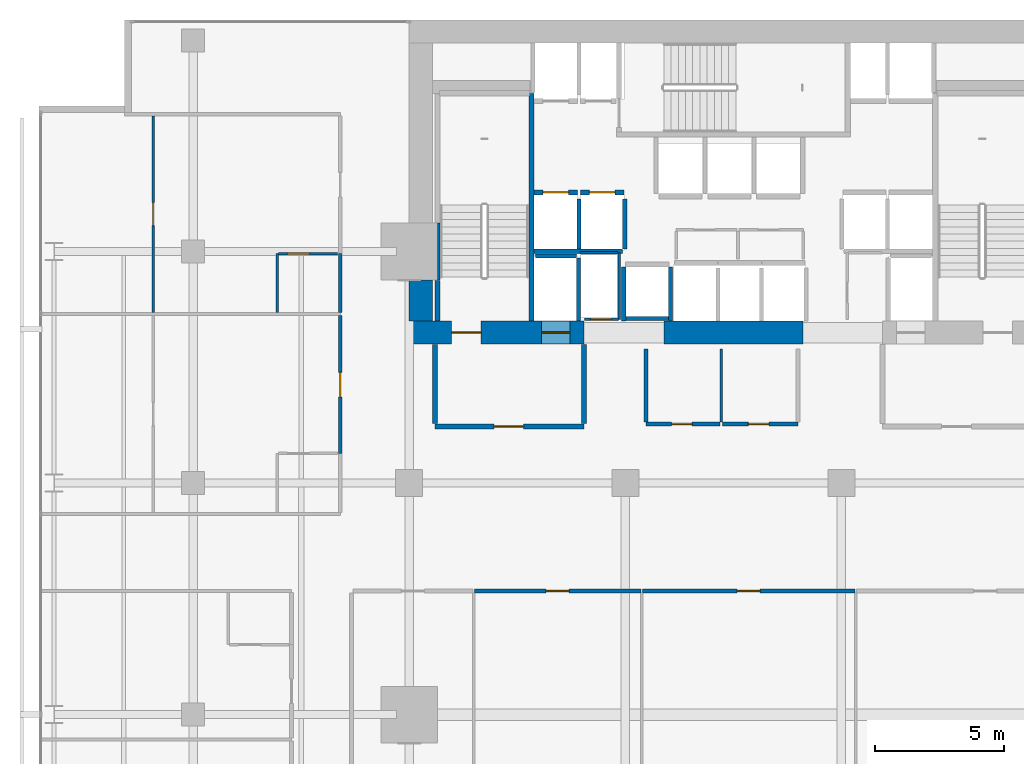
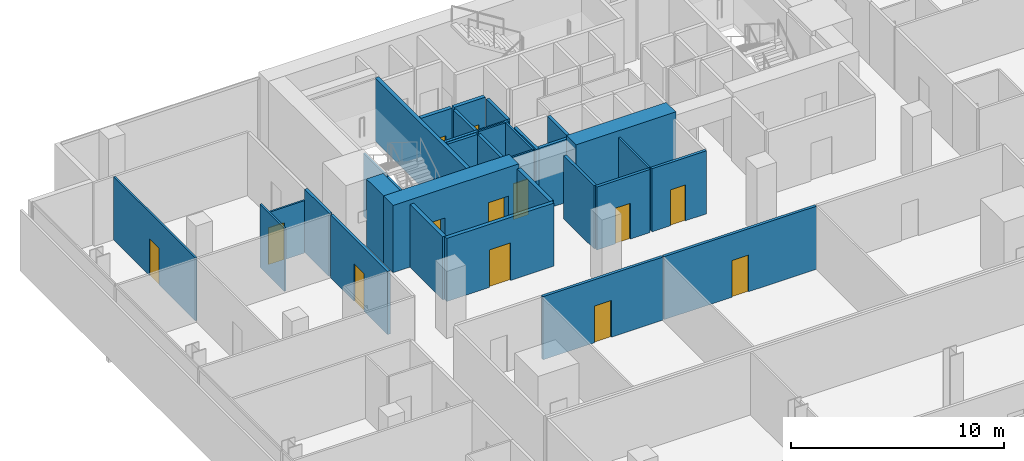
# One storey, part 35 of 40: 33 walls, 13 doors, 13 openings.
"""IFC4 building model written with IfcOpenShell, lengths in metres."""

from ifc_helpers import new_model, si_unit, direction, frame, frame_2d, origin, place, context, subcontext, project, spatial, rectangle, extrude, material, layer, layer_set, type_object, element, fill, save


model = new_model("IFC4")

# Units and contexts
model_context = context("Model", 3, precision=1e-05, world=origin(), true_north=direction((0.0, 1.0)))
body_context = subcontext(model_context, "Body", "Model", "MODEL_VIEW")
ifc_project = project(units=[si_unit("LENGTHUNIT", "METRE"), si_unit("AREAUNIT", "SQUARE_METRE"), si_unit("VOLUMEUNIT", "CUBIC_METRE"), si_unit("PLANEANGLEUNIT", "RADIAN"), si_unit("MASSUNIT", "GRAM", prefix="KILO")], contexts=[model_context])

# Site, building, storey
site_placement = place(None, origin())
site = spatial("IfcSite", under=ifc_project, at=site_placement, CompositionType="ELEMENT")
building_placement = place(site_placement, origin())
building = spatial("IfcBuilding", under=site, at=building_placement, Name="Maruvema Waterfront Hotel and Observation Tower", CompositionType="ELEMENT")
storey_placement = place(building_placement, frame((0.0, 0.0, 96.25)))
storey = spatial("IfcBuildingStorey", under=building, at=storey_placement, Name="L23", CompositionType="ELEMENT", Elevation=96.25)

# Wall, opening, door
ifc_material_1 = material(Name="Twin-stud acoustic gypsum drywall", Category="gypsum")
ifc_layer_1 = layer(ifc_material_1, 0.14990234375, Name="Acoustic Corridor and Suite Demising Wall 150 mm")
ifc_layer_set_1 = layer_set([ifc_layer_1], Name="Twin-stud acoustic gypsum drywall")
wall_type_1 = type_object("IfcWallType", Name="Acoustic Corridor and Suite Demising Wall 150 mm", PredefinedType="PARTITIONING", material=ifc_layer_set_1)
wall_1_placement = place(storey_placement, frame((34.39990234375, 38.300048828125, 0.0), z_axis=(0.0, 0.0, 1.0), x_axis=(1.0, 0.0, 0.0)))
wall_1 = element("IfcWall", 1, at=wall_1_placement, inside=storey, type_object=wall_type_1, Name="L23 Core Apron K2A South 017", PredefinedType="PARTITIONING", context=body_context, shape_type="SweptSolid", body=[
    extrude(rectangle(XDim=2.880126953125, YDim=0.14990234375, at=frame_2d((1.43994140625, 0.0))), origin(), (0.0, 0.0, 1.0), 3.610107421875),
])
opening_1_placement = place(wall_1_placement, frame((1.0, 0.0, 0.0)))
opening_1 = element("IfcOpeningElement", 2, at=opening_1_placement, cuts=wall_1, Name="Opening DR-080", PredefinedType="OPENING", context=body_context, shape_type="SweptSolid", body=[
    extrude(rectangle(XDim=0.800048828125, YDim=2.050048828125, at=frame_2d((0.39990234375, 1.02490234375))), frame((0.0, 0.0849609375, 0.0), z_axis=(0.0, -1.0, 0.0), x_axis=(1.0, 0.0, 0.0)), (0.0, 0.0, 1.0), 0.169921875),
])
ifc_material_2 = material(Name="Powder-coated steel access leaf", Category="steel")
door_type_1 = type_object("IfcDoorType", Name="Riser and Service Cupboard Door 800x2050 mm", OperationType="NOTDEFINED", PredefinedType="DOOR", material=ifc_material_2)
door_1_placement = place(opening_1_placement, frame((0.800048828125, 0.0, 0.0), z_axis=(0.0, 0.0, 1.0), x_axis=(-1.0, 0.0, 0.0)))
door_1 = element("IfcDoor", 3, at=door_1_placement, inside=storey, type_object=door_type_1, Name="L23 Core Ice Alcove Door", OperationType="SINGLE_SWING_LEFT", OverallHeight=2.050048828125, OverallWidth=0.800048828125, PredefinedType="DOOR", context=body_context, shape_type="SweptSolid", body=[
    extrude(rectangle(XDim=0.800048828125, YDim=2.050048828125, at=frame_2d((0.39990234375, 1.02490234375))), frame((0.0, 0.02490234375, 0.0), z_axis=(0.0, -1.0, 0.0), x_axis=(1.0, 0.0, 0.0)), (0.0, 0.0, 1.0), 0.050048828125),
])
fill(opening_1, door_1)

wall_2_placement = place(storey_placement, frame((37.3798828125, 38.300048828125, 0.0), z_axis=(0.0, 0.0, 1.0), x_axis=(1.0, 0.0, 0.0)))
wall_2 = element("IfcWall", 4, at=wall_2_placement, inside=storey, type_object=wall_type_1, Name="L23 Core Apron K2B South 018", PredefinedType="PARTITIONING", context=body_context, shape_type="SweptSolid", body=[
    extrude(rectangle(XDim=2.940185546875, YDim=0.14990234375, at=frame_2d((1.47021484375, 0.0))), origin(), (0.0, 0.0, 1.0), 3.610107421875),
])
opening_2_placement = place(wall_2_placement, frame((1.0, 0.0, 0.0)))
opening_2 = element("IfcOpeningElement", 5, at=opening_2_placement, cuts=wall_2, Name="Opening DR-080", PredefinedType="OPENING", context=body_context, shape_type="SweptSolid", body=[
    extrude(rectangle(XDim=0.800048828125, YDim=2.050048828125, at=frame_2d((0.39990234375, 1.02490234375))), frame((0.0, 0.0849609375, 0.0), z_axis=(0.0, -1.0, 0.0), x_axis=(1.0, 0.0, 0.0)), (0.0, 0.0, 1.0), 0.169921875),
])
door_2_placement = place(opening_2_placement, frame((0.800048828125, 0.0, 0.0), z_axis=(0.0, 0.0, 1.0), x_axis=(-1.0, 0.0, 0.0)))
door_2 = element("IfcDoor", 6, at=door_2_placement, inside=storey, type_object=door_type_1, Name="L23 Core Valet Closet Door", OperationType="SINGLE_SWING_RIGHT", OverallHeight=2.050048828125, OverallWidth=0.800048828125, PredefinedType="DOOR", context=body_context, shape_type="SweptSolid", body=[
    extrude(rectangle(XDim=0.800048828125, YDim=2.050048828125, at=frame_2d((0.39990234375, 1.02490234375))), frame((0.0, 0.02490234375, 0.0), z_axis=(0.0, -1.0, 0.0), x_axis=(1.0, 0.0, 0.0)), (0.0, 0.0, 1.0), 0.050048828125),
])
fill(opening_2, door_2)

# Wall
wall_3_placement = place(storey_placement, frame((34.39990234375, 38.3798828125, 0.0), z_axis=(0.0, 0.0, 1.0), x_axis=(0.0, 1.0, 0.0)))
element("IfcWall", 7, at=wall_3_placement, inside=storey, type_object=wall_type_1, Name="L23 Core Apron K2 West 019", PredefinedType="PARTITIONING", context=body_context, shape_type="SweptSolid", body=[
    extrude(rectangle(XDim=2.840087890625, YDim=0.14990234375, at=frame_2d((1.419921875, 0.0))), origin(), (0.0, 0.0, 1.0), 3.610107421875),
])

# Wall, opening, door
wall_4_placement = place(storey_placement, frame((27.73193359375, 31.800048828125, 0.0), z_axis=(0.0, 0.0, 1.0), x_axis=(1.0, 0.0, 0.0)))
wall_4 = element("IfcWall", 8, at=wall_4_placement, inside=storey, type_object=wall_type_1, Name="L23 L23-INTN Front 2 027", PredefinedType="PARTITIONING", context=body_context, shape_type="SweptSolid", body=[
    extrude(rectangle(XDim=6.47412109375, YDim=0.14990234375, at=frame_2d((3.237060546875, 0.0))), origin(), (0.0, 0.0, 1.0), 3.610107421875),
])
opening_3_placement = place(wall_4_placement, frame((2.787109375, 0.0, 0.0)))
opening_3 = element("IfcOpeningElement", 9, at=opening_3_placement, cuts=wall_4, Name="Opening DR-090", PredefinedType="OPENING", context=body_context, shape_type="SweptSolid", body=[
    extrude(rectangle(XDim=0.89990234375, YDim=2.10009765625, at=frame_2d((0.449951171875, 1.050048828125))), frame((0.0, 0.0849609375, 0.0), z_axis=(0.0, -1.0, 0.0), x_axis=(1.0, 0.0, 0.0)), (0.0, 0.0, 1.0), 0.169921875),
])
ifc_material_3 = material(Name="Solid-core lacquered timber leaf", Category="wood")
door_type_2 = type_object("IfcDoorType", Name="Accessible Toilet and Room Door 900x2100 mm", OperationType="NOTDEFINED", PredefinedType="DOOR", material=ifc_material_3)
door_3_placement = place(opening_3_placement, origin())
door_3 = element("IfcDoor", 10, at=door_3_placement, inside=storey, type_object=door_type_2, Name="L23 Art Gallery Lounge 2 Door", OperationType="SINGLE_SWING_RIGHT", OverallHeight=2.10009765625, OverallWidth=0.89990234375, PredefinedType="DOOR", context=body_context, shape_type="SweptSolid", body=[
    extrude(rectangle(XDim=0.89990234375, YDim=2.10009765625, at=frame_2d((0.449951171875, 1.050048828125))), frame((0.0, 0.02490234375, 0.0), z_axis=(0.0, -1.0, 0.0), x_axis=(1.0, 0.0, 0.0)), (0.0, 0.0, 1.0), 0.050048828125),
])
fill(opening_3, door_3)

wall_5_placement = place(storey_placement, frame((34.26611328125, 31.800048828125, 0.0), z_axis=(0.0, 0.0, 1.0), x_axis=(1.0, 0.0, 0.0)))
wall_5 = element("IfcWall", 11, at=wall_5_placement, inside=storey, type_object=wall_type_1, Name="L23 L23-INTN Front 3 029", PredefinedType="PARTITIONING", context=body_context, shape_type="SweptSolid", body=[
    extrude(rectangle(XDim=8.255859375, YDim=0.14990234375, at=frame_2d((4.1279296875, 0.0))), origin(), (0.0, 0.0, 1.0), 3.610107421875),
])
opening_4_placement = place(wall_5_placement, frame((3.677978515625, 0.0, 0.0)))
opening_4 = element("IfcOpeningElement", 12, at=opening_4_placement, cuts=wall_5, Name="Opening DR-090", PredefinedType="OPENING", context=body_context, shape_type="SweptSolid", body=[
    extrude(rectangle(XDim=0.89990234375, YDim=2.10009765625, at=frame_2d((0.449951171875, 1.050048828125))), frame((0.0, 0.0849609375, 0.0), z_axis=(0.0, -1.0, 0.0), x_axis=(1.0, 0.0, 0.0)), (0.0, 0.0, 1.0), 0.169921875),
])
door_4_placement = place(opening_4_placement, origin())
door_4 = element("IfcDoor", 13, at=door_4_placement, inside=storey, type_object=door_type_2, Name="L23 Art Gallery Lounge 3 Door", OperationType="SINGLE_SWING_LEFT", OverallHeight=2.10009765625, OverallWidth=0.89990234375, PredefinedType="DOOR", context=body_context, shape_type="SweptSolid", body=[
    extrude(rectangle(XDim=0.89990234375, YDim=2.10009765625, at=frame_2d((0.449951171875, 1.050048828125))), frame((0.0, 0.02490234375, 0.0), z_axis=(0.0, -1.0, 0.0), x_axis=(1.0, 0.0, 0.0)), (0.0, 0.0, 1.0), 0.050048828125),
])
fill(opening_4, door_4)

wall_6_placement = place(storey_placement, frame((22.52001953125, 37.14990234375, 0.0), z_axis=(0.0, 0.0, 1.0), x_axis=(0.0, 1.0, 0.0)))
wall_6 = element("IfcWall", 14, at=wall_6_placement, inside=storey, type_object=wall_type_1, Name="L23 Room L23-NW1 Corridor Wall 104", PredefinedType="PARTITIONING", context=body_context, shape_type="SweptSolid", body=[
    extrude(rectangle(XDim=5.35888671875, YDim=0.14990234375, at=frame_2d((2.679443359375, 0.0))), origin(), (0.0, 0.0, 1.0), 3.610107421875),
])
opening_5_placement = place(wall_6_placement, frame((2.204345703125, 0.0, 0.0)))
opening_5 = element("IfcOpeningElement", 15, at=opening_5_placement, cuts=wall_6, Name="Opening DR-095", PredefinedType="OPENING", context=body_context, shape_type="SweptSolid", body=[
    extrude(rectangle(XDim=0.949951171875, YDim=2.14990234375, at=frame_2d((0.47509765625, 1.074951171875))), frame((0.0, 0.0849609375, 0.0), z_axis=(0.0, -1.0, 0.0), x_axis=(1.0, 0.0, 0.0)), (0.0, 0.0, 1.0), 0.169921875),
])
ifc_material_4 = material(Name="Acoustic solid-core hardwood timber leaf", Category="wood")
door_type_3 = type_object("IfcDoorType", Name="Guestroom Entrance Fire Door 950x2150 mm", OperationType="NOTDEFINED", PredefinedType="DOOR", material=ifc_material_4)
door_5_placement = place(opening_5_placement, origin())
door_5 = element("IfcDoor", 16, at=door_5_placement, inside=storey, type_object=door_type_3, Name="L23 Room L23-NW1 Entrance Door", OperationType="SINGLE_SWING_RIGHT", OverallHeight=2.14990234375, OverallWidth=0.949951171875, PredefinedType="DOOR", context=body_context, shape_type="SweptSolid", body=[
    extrude(rectangle(XDim=0.949951171875, YDim=2.14990234375, at=frame_2d((0.47509765625, 1.074951171875))), frame((0.0, 0.02490234375, 0.0), z_axis=(0.0, -1.0, 0.0), x_axis=(1.0, 0.0, 0.0)), (0.0, 0.0, 1.0), 0.050048828125),
])
fill(opening_5, door_5)

# Walls
wall_7_placement = place(storey_placement, frame((22.52001953125, 42.628662109375, 0.0), z_axis=(0.0, 0.0, 1.0), x_axis=(0.0, 1.0, 0.0)))
element("IfcWall", 17, at=wall_7_placement, inside=storey, type_object=wall_type_1, Name="L23 Bath L23-NW2 Wall 115", PredefinedType="PARTITIONING", context=body_context, shape_type="SweptSolid", body=[
    extrude(rectangle(XDim=2.2900390625, YDim=0.14990234375, at=frame_2d((1.14501953125, 0.0))), origin(), (0.0, 0.0, 1.0), 3.610107421875),
])
ifc_material_5 = material(Name="Precast concrete C45/55", Category="concrete")
ifc_layer_2 = layer(ifc_material_5, 0.199951171875, Name="Core Shaft and Stairwell Enclosure Wall 200 mm")
ifc_layer_set_2 = layer_set([ifc_layer_2], Name="Precast concrete C45/55")
wall_type_2 = type_object("IfcWallType", Name="Core Shaft and Stairwell Enclosure Wall 200 mm", PredefinedType="SOLIDWALL", material=ifc_layer_set_2)
wall_8_placement = place(storey_placement, frame((29.949951171875, 42.300048828125, 0.0), z_axis=(0.0, 0.0, 1.0), x_axis=(0.0, 1.0, 0.0)))
element("IfcWall", 18, at=wall_8_placement, inside=storey, type_object=wall_type_2, Name="L23 Stairwell ST-01 East Shaft Wall", PredefinedType="SOLIDWALL", context=body_context, shape_type="SweptSolid", body=[
    extrude(rectangle(XDim=8.849853515625, YDim=0.199951171875, at=frame_2d((4.4248046875, 0.0))), origin(), (0.0, 0.0, 1.0), 3.610107421875),
])
wall_9_placement = place(storey_placement, frame((26.300048828125, 42.300048828125, 0.0), z_axis=(0.0, 0.0, 1.0), x_axis=(0.0, 1.0, 0.0)))
element("IfcWall", 19, at=wall_9_placement, inside=storey, type_object=wall_type_2, Name="L23 Stairwell ST-01 Shaft Lining Wall", PredefinedType="SOLIDWALL", context=body_context, shape_type="SweptSolid", body=[
    extrude(rectangle(XDim=1.579833984375, YDim=0.199951171875, at=frame_2d((0.7900390625, 0.0))), origin(), (0.0, 0.0, 1.0), 3.610107421875),
])

# Wall, opening, door
wall_10_placement = place(storey_placement, frame((30.06005859375, 47.300048828125, 0.0), z_axis=(0.0, 0.0, 1.0), x_axis=(1.0, 0.0, 0.0)))
wall_10 = element("IfcWall", 20, at=wall_10_placement, inside=storey, type_object=wall_type_2, Name="L23 Lift LF-01 Hoistway Front Wall", PredefinedType="SOLIDWALL", context=body_context, shape_type="SweptSolid", body=[
    extrude(rectangle(XDim=1.679931640625, YDim=0.199951171875, at=frame_2d((0.83984375, 0.0))), origin(), (0.0, 0.0, 1.0), 3.610107421875),
])
opening_6_placement = place(wall_10_placement, frame((0.340087890625, 0.0, 0.0)))
opening_6 = element("IfcOpeningElement", 21, at=opening_6_placement, cuts=wall_10, Name="Opening LD-01", PredefinedType="OPENING", context=body_context, shape_type="SweptSolid", body=[
    extrude(rectangle(XDim=1.0, YDim=2.14990234375, at=frame_2d((0.5, 1.074951171875))), frame((0.0, 0.10986328125, 0.0), z_axis=(0.0, -1.0, 0.0), x_axis=(1.0, 0.0, 0.0)), (0.0, 0.0, 1.0), 0.219970703125),
])
ifc_material_6 = material(Name="Brushed stainless steel Grade 316", Category="steel")
door_type_4 = type_object("IfcDoorType", Name="Passenger Lift Sliding Landing Door 1000x2150 mm", OperationType="SLIDING_TO_LEFT", PredefinedType="DOOR", material=ifc_material_6)
door_6_placement = place(opening_6_placement, origin())
door_6 = element("IfcDoor", 22, at=door_6_placement, inside=storey, type_object=door_type_4, Name="L23 Lift LF-01 Sliding Landing Door", OperationType="SLIDING_TO_LEFT", OverallHeight=2.14990234375, OverallWidth=1.0, PredefinedType="DOOR", context=body_context, shape_type="SweptSolid", body=[
    extrude(rectangle(XDim=1.0, YDim=2.14990234375, at=frame_2d((0.5, 1.074951171875))), frame((0.0, 0.02490234375, 0.0), z_axis=(0.0, -1.0, 0.0), x_axis=(1.0, 0.0, 0.0)), (0.0, 0.0, 1.0), 0.050048828125),
])
fill(opening_6, door_6)

wall_11_placement = place(storey_placement, frame((31.860107421875, 47.300048828125, 0.0), z_axis=(0.0, 0.0, 1.0), x_axis=(1.0, 0.0, 0.0)))
wall_11 = element("IfcWall", 23, at=wall_11_placement, inside=storey, type_object=wall_type_2, Name="L23 Lift LF-02 Hoistway Front Wall", PredefinedType="SOLIDWALL", context=body_context, shape_type="SweptSolid", body=[
    extrude(rectangle(XDim=1.679931640625, YDim=0.199951171875, at=frame_2d((0.83984375, 0.0))), origin(), (0.0, 0.0, 1.0), 3.610107421875),
])
opening_7_placement = place(wall_11_placement, frame((0.340087890625, 0.0, 0.0)))
opening_7 = element("IfcOpeningElement", 24, at=opening_7_placement, cuts=wall_11, Name="Opening LD-01", PredefinedType="OPENING", context=body_context, shape_type="SweptSolid", body=[
    extrude(rectangle(XDim=1.0, YDim=2.14990234375, at=frame_2d((0.5, 1.074951171875))), frame((0.0, 0.10986328125, 0.0), z_axis=(0.0, -1.0, 0.0), x_axis=(1.0, 0.0, 0.0)), (0.0, 0.0, 1.0), 0.219970703125),
])
door_7_placement = place(opening_7_placement, origin())
door_7 = element("IfcDoor", 25, at=door_7_placement, inside=storey, type_object=door_type_4, Name="L23 Lift LF-02 Sliding Landing Door", OperationType="SLIDING_TO_LEFT", OverallHeight=2.14990234375, OverallWidth=1.0, PredefinedType="DOOR", context=body_context, shape_type="SweptSolid", body=[
    extrude(rectangle(XDim=1.0, YDim=2.14990234375, at=frame_2d((0.5, 1.074951171875))), frame((0.0, 0.02490234375, 0.0), z_axis=(0.0, -1.0, 0.0), x_axis=(1.0, 0.0, 0.0)), (0.0, 0.0, 1.0), 0.050048828125),
])
fill(opening_7, door_7)

# Wall, openings, doors
ifc_material_7 = material(Name="Concrete C80/95", Category="concrete")
ifc_layer_3 = layer(ifc_material_7, 0.89990234375, Name="Core Shear Wall 900 mm")
ifc_layer_set_3 = layer_set([ifc_layer_3], Name="Concrete C80/95")
wall_type_3 = type_object("IfcWallType", Name="Core Shear Wall 900 mm", PredefinedType="SHEAR", material=ifc_layer_set_3)
wall_12_placement = place(storey_placement, frame((25.199951171875, 41.85009765625, 0.0), z_axis=(0.0, 0.0, 1.0), x_axis=(1.0, 0.0, 0.0)))
wall_12 = element("IfcWall", 26, at=wall_12_placement, inside=storey, type_object=wall_type_3, Name="L23 South-West Core Shear Wall", PredefinedType="SHEAR", context=body_context, shape_type="SweptSolid", body=[
    extrude(rectangle(XDim=6.800048828125, YDim=0.89990234375, at=frame_2d((3.39990234375, 0.0))), origin(), (0.0, 0.0, 1.0), 3.85009765625),
])
opening_8_placement = place(wall_12_placement, frame((1.64990234375, 0.0, 0.0)))
opening_8 = element("IfcOpeningElement", 27, at=opening_8_placement, cuts=wall_12, Name="Opening SD-01", PredefinedType="OPENING", context=body_context, shape_type="SweptSolid", body=[
    extrude(rectangle(XDim=1.14990234375, YDim=2.14990234375, at=frame_2d((0.574951171875, 1.074951171875))), frame((0.0, 0.4599609375, 0.0), z_axis=(0.0, -1.0, 0.0), x_axis=(1.0, 0.0, 0.0)), (0.0, 0.0, 1.0), 0.919921875),
])
opening_9_placement = place(wall_12_placement, frame((5.14990234375, 0.0, 0.0)))
opening_9 = element("IfcOpeningElement", 28, at=opening_9_placement, cuts=wall_12, Name="Opening LD-03", PredefinedType="OPENING", context=body_context, shape_type="SweptSolid", body=[
    extrude(rectangle(XDim=1.10009765625, YDim=2.199951171875, at=frame_2d((0.550048828125, 1.10009765625))), frame((0.0, 0.4599609375, 0.0), z_axis=(0.0, -1.0, 0.0), x_axis=(1.0, 0.0, 0.0)), (0.0, 0.0, 1.0), 0.919921875),
])
ifc_material_8 = material(Name="Fire-rated galvanised steel leaf", Category="steel")
door_type_5 = type_object("IfcDoorType", Name="Exit Stair Fire Door 1150x2150 mm", OperationType="NOTDEFINED", PredefinedType="DOOR", material=ifc_material_8)
door_8_placement = place(opening_8_placement, origin())
door_8 = element("IfcDoor", 29, at=door_8_placement, inside=storey, type_object=door_type_5, Name="L23 Exit Stair ST-01 Fire Door", OperationType="SINGLE_SWING_LEFT", OverallHeight=2.14990234375, OverallWidth=1.14990234375, PredefinedType="DOOR", context=body_context, shape_type="SweptSolid", body=[
    extrude(rectangle(XDim=1.14990234375, YDim=2.14990234375, at=frame_2d((0.574951171875, 1.074951171875))), frame((0.0, 0.02490234375, 0.0), z_axis=(0.0, -1.0, 0.0), x_axis=(1.0, 0.0, 0.0)), (0.0, 0.0, 1.0), 0.050048828125),
])
fill(opening_8, door_8)
ifc_material_9 = material(Name="Brushed stainless steel Grade 316", Category="steel")
door_type_6 = type_object("IfcDoorType", Name="Firefighting Lift Sliding Landing Door 1100x2200 mm", OperationType="SLIDING_TO_LEFT", PredefinedType="DOOR", material=ifc_material_9)
door_9_placement = place(opening_9_placement, frame((1.10009765625, 0.0, 0.0), z_axis=(0.0, 0.0, 1.0), x_axis=(-1.0, 0.0, 0.0)))
door_9 = element("IfcDoor", 30, at=door_9_placement, inside=storey, type_object=door_type_6, Name="L23 Firefighting Lift FL-01 Landing Door", OperationType="SLIDING_TO_LEFT", OverallHeight=2.199951171875, OverallWidth=1.10009765625, PredefinedType="DOOR", context=body_context, shape_type="SweptSolid", body=[
    extrude(rectangle(XDim=1.10009765625, YDim=2.199951171875, at=frame_2d((0.550048828125, 1.10009765625))), frame((0.0, 0.02490234375, 0.0), z_axis=(0.0, -1.0, 0.0), x_axis=(1.0, 0.0, 0.0)), (0.0, 0.0, 1.0), 0.050048828125),
])
fill(opening_9, door_9)

# Walls
wall_13_placement = place(storey_placement, frame((35.10009765625, 41.85009765625, 0.0), z_axis=(0.0, 0.0, 1.0), x_axis=(1.0, 0.0, 0.0)))
element("IfcWall", 31, at=wall_13_placement, inside=storey, type_object=wall_type_3, Name="L23 South-Central Core Shear Wall", PredefinedType="SHEAR", context=body_context, shape_type="SweptSolid", body=[
    extrude(rectangle(XDim=5.39990234375, YDim=0.89990234375, at=frame_2d((2.699951171875, 0.0))), origin(), (0.0, 0.0, 1.0), 3.85009765625),
])
wall_14_placement = place(storey_placement, frame((25.64990234375, 42.300048828125, 0.0), z_axis=(0.0, 0.0, 1.0), x_axis=(0.0, 1.0, 0.0)))
element("IfcWall", 32, at=wall_14_placement, inside=storey, type_object=wall_type_3, Name="L23 West-South Core Shear Wall", PredefinedType="SHEAR", context=body_context, shape_type="SweptSolid", body=[
    extrude(rectangle(XDim=1.599853515625, YDim=0.89990234375, at=frame_2d((0.7998046875, 0.0))), origin(), (0.0, 0.0, 1.0), 3.85009765625),
])

# Wall, opening, door
ifc_material_10 = material(Name="Moisture-resistant cement-board drywall", Category="gypsum")
ifc_layer_4 = layer(ifc_material_10, 0.10009765625, Name="En-Suite Moisture-Resistant Partition 100 mm")
ifc_layer_set_4 = layer_set([ifc_layer_4], Name="Moisture-resistant cement-board drywall")
wall_type_4 = type_object("IfcWallType", Name="En-Suite Moisture-Resistant Partition 100 mm", PredefinedType="PARTITIONING", material=ifc_layer_set_4)
wall_15_placement = place(storey_placement, frame((32.02001953125, 42.360107421875, 0.0), z_axis=(0.0, 0.0, 1.0), x_axis=(1.0, 0.0, 0.0)))
wall_15 = element("IfcWall", 33, at=wall_15_placement, inside=storey, type_object=wall_type_4, Name="L23 Telecom Riser South Wall 007", PredefinedType="PARTITIONING", context=body_context, shape_type="SweptSolid", body=[
    extrude(rectangle(XDim=1.320068359375, YDim=0.10009765625, at=frame_2d((0.66015625, 0.0))), origin(), (0.0, 0.0, 1.0), 3.610107421875),
])
opening_10_placement = place(wall_15_placement, frame((0.239990234375, 0.0, 0.0)))
opening_10 = element("IfcOpeningElement", 34, at=opening_10_placement, cuts=wall_15, Name="Opening DR-080", PredefinedType="OPENING", context=body_context, shape_type="SweptSolid", body=[
    extrude(rectangle(XDim=0.800048828125, YDim=2.050048828125, at=frame_2d((0.39990234375, 1.02490234375))), frame((0.0, 0.06005859375, 0.0), z_axis=(0.0, -1.0, 0.0), x_axis=(1.0, 0.0, 0.0)), (0.0, 0.0, 1.0), 0.1201171875),
])
door_10_placement = place(opening_10_placement, frame((0.800048828125, 0.0, 0.0), z_axis=(0.0, 0.0, 1.0), x_axis=(-1.0, 0.0, 0.0)))
door_10 = element("IfcDoor", 35, at=door_10_placement, inside=storey, type_object=door_type_1, Name="L23 Telecom Riser Door", OperationType="SINGLE_SWING_LEFT", OverallHeight=2.050048828125, OverallWidth=0.800048828125, PredefinedType="DOOR", context=body_context, shape_type="SweptSolid", body=[
    extrude(rectangle(XDim=0.800048828125, YDim=2.050048828125, at=frame_2d((0.39990234375, 1.02490234375))), frame((0.0, 0.02490234375, 0.0), z_axis=(0.0, -1.0, 0.0), x_axis=(1.0, 0.0, 0.0)), (0.0, 0.0, 1.0), 0.050048828125),
])
fill(opening_10, door_10)

# Walls
wall_16_placement = place(storey_placement, frame((31.840087890625, 44.9599609375, 0.0), z_axis=(0.0, 0.0, 1.0), x_axis=(1.0, 0.0, 0.0)))
element("IfcWall", 36, at=wall_16_placement, inside=storey, type_object=wall_type_4, Name="L23 Telecom Riser North Wall 008", PredefinedType="PARTITIONING", context=body_context, shape_type="SweptSolid", body=[
    extrude(rectangle(XDim=1.47998046875, YDim=0.10009765625, at=frame_2d((0.739990234375, 0.0))), origin(), (0.0, 0.0, 1.0), 3.610107421875),
])
wall_17_placement = place(storey_placement, frame((33.360107421875, 42.360107421875, 0.0), z_axis=(0.0, 0.0, 1.0), x_axis=(0.0, 1.0, 0.0)))
element("IfcWall", 37, at=wall_17_placement, inside=storey, type_object=wall_type_4, Name="L23 Telecom Riser East Wall 009", PredefinedType="PARTITIONING", context=body_context, shape_type="SweptSolid", body=[
    extrude(rectangle(XDim=2.579833984375, YDim=0.10009765625, at=frame_2d((1.2900390625, 0.0))), origin(), (0.0, 0.0, 1.0), 3.610107421875),
])
wall_18_placement = place(storey_placement, frame((37.330078125, 38.3798828125, 0.0), z_axis=(0.0, 0.0, 1.0), x_axis=(0.0, 1.0, 0.0)))
element("IfcWall", 38, at=wall_18_placement, inside=storey, type_object=wall_type_4, Name="L23 Core Apron K2 Split 020", PredefinedType="PARTITIONING", context=body_context, shape_type="SweptSolid", body=[
    extrude(rectangle(XDim=2.840087890625, YDim=0.10009765625, at=frame_2d((1.419921875, 0.0))), origin(), (0.0, 0.0, 1.0), 3.610107421875),
])
wall_19_placement = place(storey_placement, frame((20.070068359375, 42.628662109375, 0.0), z_axis=(0.0, 0.0, 1.0), x_axis=(0.0, 1.0, 0.0)))
element("IfcWall", 39, at=wall_19_placement, inside=storey, type_object=wall_type_4, Name="L23 En-Suite L23-NW2 W 117", PredefinedType="PARTITIONING", context=body_context, shape_type="SweptSolid", body=[
    extrude(rectangle(XDim=2.2900390625, YDim=0.10009765625, at=frame_2d((1.14501953125, 0.0))), origin(), (0.0, 0.0, 1.0), 3.610107421875),
])

# Wall, opening, door
wall_20_placement = place(storey_placement, frame((20.1201171875, 44.918701171875, 0.0), z_axis=(0.0, 0.0, 1.0), x_axis=(1.0, 0.0, 0.0)))
wall_20 = element("IfcWall", 40, at=wall_20_placement, inside=storey, type_object=wall_type_4, Name="L23 En-Suite L23-NW2 N 118", PredefinedType="PARTITIONING", context=body_context, shape_type="SweptSolid", body=[
    extrude(rectangle(XDim=2.2998046875, YDim=0.10009765625, at=frame_2d((1.14990234375, 0.0))), origin(), (0.0, 0.0, 1.0), 2.9990234375),
])
opening_11_placement = place(wall_20_placement, frame((0.35009765625, 0.0, 0.0)))
opening_11 = element("IfcOpeningElement", 41, at=opening_11_placement, cuts=wall_20, Name="Opening DR-085", PredefinedType="OPENING", context=body_context, shape_type="SweptSolid", body=[
    extrude(rectangle(XDim=0.85009765625, YDim=2.10009765625, at=frame_2d((0.425048828125, 1.050048828125))), frame((0.0, 0.06005859375, 0.0), z_axis=(0.0, -1.0, 0.0), x_axis=(1.0, 0.0, 0.0)), (0.0, 0.0, 1.0), 0.1201171875),
])
ifc_material_11 = material(Name="Moisture-resistant solid timber leaf", Category="wood")
door_type_7 = type_object("IfcDoorType", Name="En-Suite Bathroom Door 850x2100 mm", OperationType="NOTDEFINED", PredefinedType="DOOR", material=ifc_material_11)
door_11_placement = place(opening_11_placement, origin())
door_11 = element("IfcDoor", 42, at=door_11_placement, inside=storey, type_object=door_type_7, Name="L23 En-Suite L23-NW2 Door", OperationType="SINGLE_SWING_LEFT", OverallHeight=2.10009765625, OverallWidth=0.85009765625, PredefinedType="DOOR", context=body_context, shape_type="SweptSolid", body=[
    extrude(rectangle(XDim=0.85009765625, YDim=2.10009765625, at=frame_2d((0.425048828125, 1.050048828125))), frame((0.0, 0.02490234375, 0.0), z_axis=(0.0, -1.0, 0.0), x_axis=(1.0, 0.0, 0.0)), (0.0, 0.0, 1.0), 0.050048828125),
])
fill(opening_11, door_11)

wall_21_placement = place(storey_placement, frame((15.24951171875, 42.628662109375, 0.0), z_axis=(0.0, 0.0, 1.0), x_axis=(0.0, 1.0, 0.0)))
wall_21 = element("IfcWall", 43, at=wall_21_placement, inside=storey, type_object=wall_type_4, Name="L23 Suite L23-NW2 Split 119", PredefinedType="PARTITIONING", context=body_context, shape_type="SweptSolid", body=[
    extrude(rectangle(XDim=7.64892578125, YDim=0.10009765625, at=frame_2d((3.824462890625, 0.0))), origin(), (0.0, 0.0, 1.0), 3.610107421875),
])
opening_12_placement = place(wall_21_placement, frame((3.37451171875, 0.0, 0.0)))
opening_12 = element("IfcOpeningElement", 44, at=opening_12_placement, cuts=wall_21, Name="Opening DR-090", PredefinedType="OPENING", context=body_context, shape_type="SweptSolid", body=[
    extrude(rectangle(XDim=0.89990234375, YDim=2.10009765625, at=frame_2d((0.449951171875, 1.050048828125))), frame((0.0, 0.06005859375, 0.0), z_axis=(0.0, -1.0, 0.0), x_axis=(1.0, 0.0, 0.0)), (0.0, 0.0, 1.0), 0.1201171875),
])
door_12_placement = place(opening_12_placement, origin())
door_12 = element("IfcDoor", 45, at=door_12_placement, inside=storey, type_object=door_type_2, Name="L23 Suite L23-NW2 Bedroom Door", OperationType="SINGLE_SWING_LEFT", OverallHeight=2.10009765625, OverallWidth=0.89990234375, PredefinedType="DOOR", context=body_context, shape_type="SweptSolid", body=[
    extrude(rectangle(XDim=0.89990234375, YDim=2.10009765625, at=frame_2d((0.449951171875, 1.050048828125))), frame((0.0, 0.02490234375, 0.0), z_axis=(0.0, -1.0, 0.0), x_axis=(1.0, 0.0, 0.0)), (0.0, 0.0, 1.0), 0.050048828125),
])
fill(opening_12, door_12)

ifc_material_12 = material(Name="Autoclaved cellular concrete blockwork", Category="masonry")
ifc_layer_5 = layer(ifc_material_12, 0.199951171875, Name="Fire Compartment Masonry Wall 200 mm")
ifc_layer_set_5 = layer_set([ifc_layer_5], Name="Autoclaved cellular concrete blockwork")
wall_type_5 = type_object("IfcWallType", Name="Fire Compartment Masonry Wall 200 mm", PredefinedType="PARTITIONING", material=ifc_layer_set_5)
wall_22_placement = place(storey_placement, frame((26.199951171875, 38.199951171875, 0.0), z_axis=(0.0, 0.0, 1.0), x_axis=(1.0, 0.0, 0.0)))
wall_22 = element("IfcWall", 46, at=wall_22_placement, inside=storey, type_object=wall_type_5, Name="L23 FFL West South Wall 001", PredefinedType="PARTITIONING", context=body_context, shape_type="SweptSolid", body=[
    extrude(rectangle(XDim=5.800048828125, YDim=0.199951171875, at=frame_2d((2.89990234375, 0.0))), origin(), (0.0, 0.0, 1.0), 3.610107421875),
])
opening_13_placement = place(wall_22_placement, frame((2.300048828125, 0.0, 0.0)))
opening_13 = element("IfcOpeningElement", 47, at=opening_13_placement, cuts=wall_22, Name="Opening FD-115", PredefinedType="OPENING", context=body_context, shape_type="SweptSolid", body=[
    extrude(rectangle(XDim=1.14990234375, YDim=2.14990234375, at=frame_2d((0.574951171875, 1.074951171875))), frame((0.0, 0.10986328125, 0.0), z_axis=(0.0, -1.0, 0.0), x_axis=(1.0, 0.0, 0.0)), (0.0, 0.0, 1.0), 0.219970703125),
])
ifc_material_13 = material(Name="Fire-rated galvanised steel and vision glass", Category="steel")
door_type_8 = type_object("IfcDoorType", Name="Firefighting Lobby Fire Door 1150x2150 mm", OperationType="NOTDEFINED", PredefinedType="DOOR", material=ifc_material_13)
door_13_placement = place(opening_13_placement, frame((1.14990234375, 0.0, 0.0), z_axis=(0.0, 0.0, 1.0), x_axis=(-1.0, 0.0, 0.0)))
door_13 = element("IfcDoor", 48, at=door_13_placement, inside=storey, type_object=door_type_8, Name="L23 Firefighting Lobby West Door", OperationType="SINGLE_SWING_LEFT", OverallHeight=2.14990234375, OverallWidth=1.14990234375, PredefinedType="DOOR", context=body_context, shape_type="SweptSolid", body=[
    extrude(rectangle(XDim=1.14990234375, YDim=2.14990234375, at=frame_2d((0.574951171875, 1.074951171875))), frame((0.0, 0.02490234375, 0.0), z_axis=(0.0, -1.0, 0.0), x_axis=(1.0, 0.0, 0.0)), (0.0, 0.0, 1.0), 0.050048828125),
])
fill(opening_13, door_13)

# Walls
for number, where, z_axis, x_axis, name in (
    (49, (26.199951171875, 38.31005859375, 0.0), (0.0, 0.0, 1.0), (0.0, 1.0, 0.0), "L23 FFL West West Wall 002"),
    (50, (32.0, 38.31005859375, 0.0), (0.0, 0.0, 1.0), (0.0, 1.0, 0.0), "L23 FFL West East Wall 003"),
):
    element("IfcWall", number, at=place(storey_placement, frame(where, z_axis=z_axis, x_axis=x_axis)), inside=storey, type_object=wall_type_5, Name=name, PredefinedType="PARTITIONING", context=body_context, shape_type="SweptSolid", body=[
        extrude(rectangle(XDim=3.06982421875, YDim=0.199951171875, at=frame_2d((1.534912109375, 0.0))), origin(), (0.0, 0.0, 1.0), 3.610107421875),
    ])
ifc_material_14 = material(Name="Precast concrete C45/55", Category="concrete")
ifc_layer_6 = layer(ifc_material_14, 0.159912109375, Name="Lift Hoistway Divider Wall 160 mm")
ifc_layer_set_6 = layer_set([ifc_layer_6], Name="Precast concrete C45/55")
wall_type_6 = type_object("IfcWallType", Name="Lift Hoistway Divider Wall 160 mm", PredefinedType="SOLIDWALL", material=ifc_layer_set_6)
wall_23_placement = place(storey_placement, frame((30.10009765625, 44.830078125, 0.0), z_axis=(0.0, 0.0, 1.0), x_axis=(1.0, 0.0, 0.0)))
element("IfcWall", 51, at=wall_23_placement, inside=storey, type_object=wall_type_6, Name="L23 Lift FL-01 Rear Hoistway Wall", PredefinedType="SOLIDWALL", context=body_context, shape_type="SweptSolid", body=[
    extrude(rectangle(XDim=1.599853515625, YDim=0.159912109375, at=frame_2d((0.7998046875, 0.0))), origin(), (0.0, 0.0, 1.0), 3.610107421875),
])
wall_24_placement = place(storey_placement, frame((31.780029296875, 42.300048828125, 0.0), z_axis=(0.0, 0.0, 1.0), x_axis=(0.0, 1.0, 0.0)))
element("IfcWall", 52, at=wall_24_placement, inside=storey, type_object=wall_type_6, Name="L23 Lift FL-01 Inner Hoistway Wall", PredefinedType="SOLIDWALL", context=body_context, shape_type="SweptSolid", body=[
    extrude(rectangle(XDim=2.43994140625, YDim=0.159912109375, at=frame_2d((1.219970703125, 0.0))), origin(), (0.0, 0.0, 1.0), 3.610107421875),
])
for number, where, z_axis, x_axis, name in (
    (53, (31.800048828125, 45.10009765625, 0.0), (0.0, 0.0, 1.0), (0.0, 1.0, 0.0), "L23 Hoistway Divider Wall"),
    (54, (33.580078125, 45.10009765625, 0.0), (0.0, 0.0, 1.0), (0.0, 1.0, 0.0), "L23 Hoistway Divider Wall"),
):
    element("IfcWall", number, at=place(storey_placement, frame(where, z_axis=z_axis, x_axis=x_axis)), inside=storey, type_object=wall_type_6, Name=name, PredefinedType="SOLIDWALL", context=body_context, shape_type="SweptSolid", body=[
        extrude(rectangle(XDim=1.949951171875, YDim=0.159912109375, at=frame_2d((0.97509765625, 0.0))), origin(), (0.0, 0.0, 1.0), 3.610107421875),
    ])
wall_25_placement = place(storey_placement, frame((30.050048828125, 45.010009765625, 0.0), z_axis=(0.0, 0.0, 1.0), x_axis=(1.0, 0.0, 0.0)))
element("IfcWall", 55, at=wall_25_placement, inside=storey, type_object=wall_type_6, Name="L23 Hoistway Divider Wall", PredefinedType="SOLIDWALL", context=body_context, shape_type="SweptSolid", body=[
    extrude(rectangle(XDim=3.449951171875, YDim=0.159912109375, at=frame_2d((1.72509765625, 0.0))), origin(), (0.0, 0.0, 1.0), 3.610107421875),
])
for number, where, z_axis, x_axis, name in (
    (56, (33.5400390625, 42.300048828125, 0.0), (0.0, 0.0, 1.0), (0.0, 1.0, 0.0), "L23 Hoistway Divider Wall"),
    (57, (35.360107421875, 42.300048828125, 0.0), (0.0, 0.0, 1.0), (0.0, 1.0, 0.0), "L23 Hoistway Divider Wall"),
):
    element("IfcWall", number, at=place(storey_placement, frame(where, z_axis=z_axis, x_axis=x_axis)), inside=storey, type_object=wall_type_6, Name=name, PredefinedType="SOLIDWALL", context=body_context, shape_type="SweptSolid", body=[
        extrude(rectangle(XDim=2.099853515625, YDim=0.159912109375, at=frame_2d((1.0498046875, 0.0))), origin(), (0.0, 0.0, 1.0), 3.610107421875),
    ])
wall_26_placement = place(storey_placement, frame((33.6201171875, 42.39990234375, 0.0), z_axis=(0.0, 0.0, 1.0), x_axis=(1.0, 0.0, 0.0)))
element("IfcWall", 58, at=wall_26_placement, inside=storey, type_object=wall_type_6, Name="L23 Hoistway Divider Wall", PredefinedType="SOLIDWALL", context=body_context, shape_type="SweptSolid", body=[
    extrude(rectangle(XDim=1.659912109375, YDim=0.159912109375, at=frame_2d((0.830078125, 0.0))), origin(), (0.0, 0.0, 1.0), 3.610107421875),
])
ifc_material_15 = material(Name="Precast concrete C45/55", Category="concrete")
ifc_layer_7 = layer(ifc_material_15, 0.10009765625, Name="Stairwell Stringer Cheek Wall 100 mm")
ifc_layer_set_7 = layer_set([ifc_layer_7], Name="Precast concrete C45/55")
wall_type_7 = type_object("IfcWallType", Name="Stairwell Stringer Cheek Wall 100 mm", PredefinedType="SOLIDWALL", material=ifc_layer_set_7)
wall_27_placement = place(storey_placement, frame((26.35205078125, 43.89990234375, 0.0), z_axis=(0.0, 0.0, 1.0), x_axis=(0.0, 1.0, 0.0)))
element("IfcWall", 59, at=wall_27_placement, inside=storey, type_object=wall_type_7, Name="L23 Stairwell ST-01 Mega-Column Cheek Wall", PredefinedType="SOLIDWALL", context=body_context, shape_type="SweptSolid", body=[
    extrude(rectangle(XDim=2.2001953125, YDim=0.10009765625, at=frame_2d((1.10009765625, 0.0))), origin(), (0.0, 0.0, 1.0), 3.610107421875),
])

save(model, "model.ifc")
